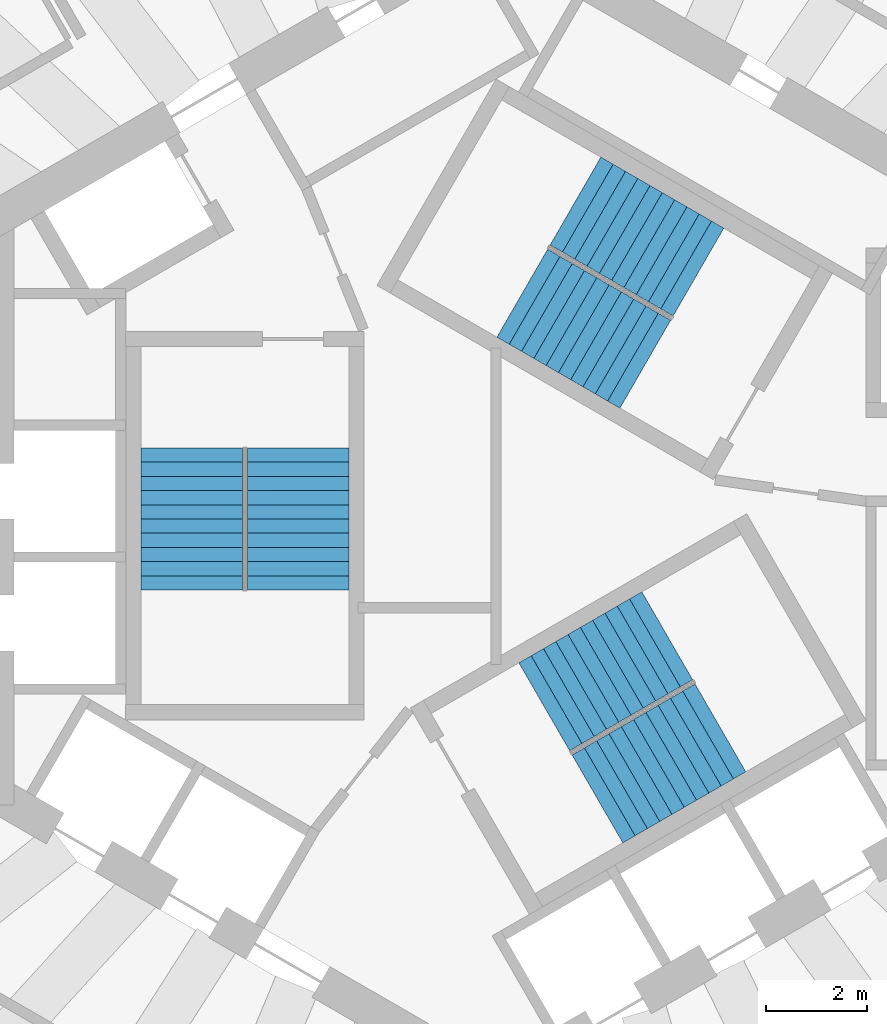
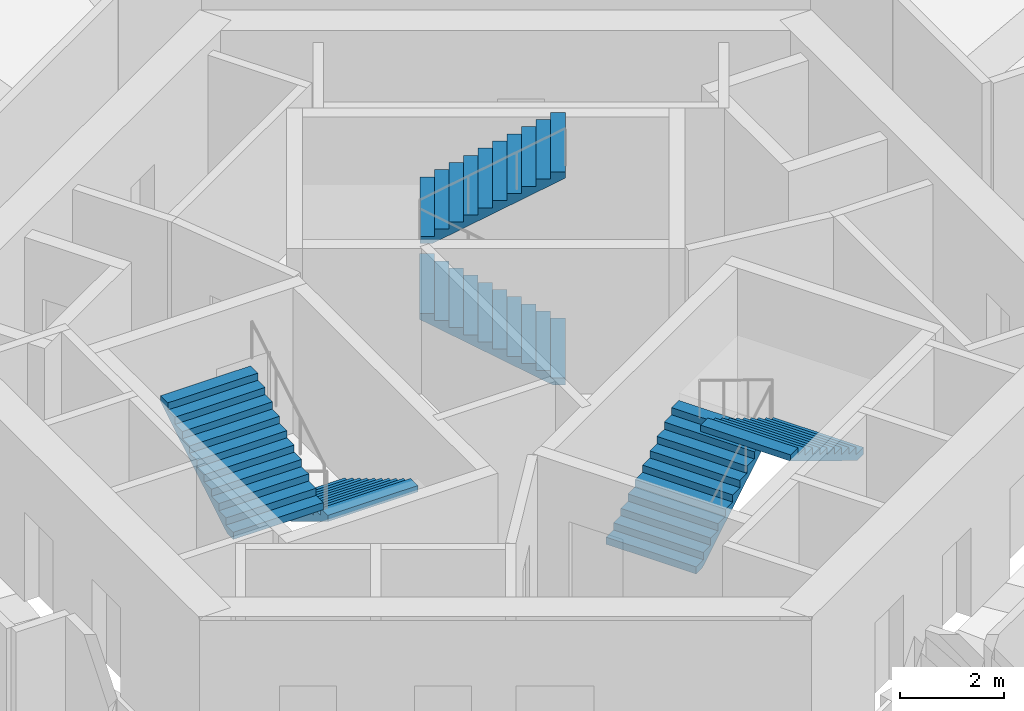
# One storey, part 9 of 11: 6 stair flights, 3 elements without a shape of their own.
"""IFC4 building model written with IfcOpenShell, lengths in metres."""

from ifc_helpers import new_model, si_unit, direction, frame, origin, place, context, subcontext, project, spatial, triangles, source, transform, mapped, material, type_object, element, aggregate, save


model = new_model("IFC4")

# Units and contexts
model_context = context("Model", 3, precision=1e-05, world=origin(), true_north=direction((0.0, 1.0)))
body_context = subcontext(model_context, "Body", "Model", "MODEL_VIEW")
ifc_project = project(units=[si_unit("LENGTHUNIT", "METRE"), si_unit("AREAUNIT", "SQUARE_METRE"), si_unit("VOLUMEUNIT", "CUBIC_METRE"), si_unit("PLANEANGLEUNIT", "RADIAN"), si_unit("MASSUNIT", "GRAM", prefix="KILO")], contexts=[model_context])

# Site, building, storey
site_placement = place(None, origin())
site = spatial("IfcSite", under=ifc_project, at=site_placement, CompositionType="ELEMENT")
building_placement = place(site_placement, origin())
building = spatial("IfcBuilding", under=site, at=building_placement, Name="Vanh Sen Convention Tower", CompositionType="ELEMENT")
storey_placement = place(building_placement, frame((0.0, 0.0, 259.800048828125)))
storey = spatial("IfcBuildingStorey", under=building, at=storey_placement, Name="L64", CompositionType="ELEMENT", Elevation=259.800048828125)

# Stair, stair flights
ifc_material_1 = material(Name="Concrete C50/60", Category="concrete")
stair_type_1 = type_object("IfcStairType", Name="Exit stair ST1 22 risers at 168.2", PredefinedType="HALF_TURN_STAIR", material=ifc_material_1)
stair_1_placement = place(storey_placement, origin())
stair_1 = element("IfcStair", 1, at=stair_1_placement, inside=storey, type_object=stair_type_1, Name="Exit stair ST1 L64", PredefinedType="HALF_TURN_STAIR")
ifc_material_2 = material(Name="Concrete C40/50", Category="concrete")
stair_flight_type = type_object("IfcStairFlightType", Name="Stair flight 2000", PredefinedType="STRAIGHT", material=ifc_material_2)
shared_shape = source(origin(), body_context, "Body", "Tessellation", [
    triangles([(0.24267578125, 1.0, 0.0), (0.0, 1.0, 0.0), (0.0, 1.0, 0.168212890625), (0.280029296875, 1.0, 0.168212890625), (0.280029296875, 1.0, 0.33642578125), (0.56005859375, 1.0, 0.33642578125), (0.56005859375, 1.0, 0.504638671875), (0.840087890625, 1.0, 0.504638671875), (0.840087890625, 1.0, 0.672607421875), (1.1201171875, 1.0, 0.672607421875), (1.1201171875, 1.0, 0.8408203125), (1.39990234375, 1.0, 0.8408203125), (1.39990234375, 1.0, 1.009033203125), (1.679931640625, 1.0, 1.009033203125), (1.679931640625, 1.0, 1.17724609375), (1.9599609375, 1.0, 1.17724609375), (1.9599609375, 1.0, 1.345458984375), (2.239990234375, 1.0, 1.345458984375), (2.239990234375, 1.0, 1.513671875), (2.52001953125, 1.0, 1.513671875), (2.52001953125, 1.0, 1.681884765625), (2.800048828125, 1.0, 1.681884765625), (2.800048828125, 1.0, 1.535888671875), (0.24267578125, -1.0, 0.0), (0.0, -1.0, 0.0), (0.0, -1.0, 0.168212890625), (0.280029296875, -1.0, 0.168212890625), (0.280029296875, -1.0, 0.33642578125), (0.56005859375, -1.0, 0.33642578125), (0.56005859375, -1.0, 0.504638671875), (0.840087890625, -1.0, 0.504638671875), (0.840087890625, -1.0, 0.672607421875), (1.1201171875, -1.0, 0.672607421875), (1.1201171875, -1.0, 0.8408203125), (1.39990234375, -1.0, 0.8408203125), (1.39990234375, -1.0, 1.009033203125), (1.679931640625, -1.0, 1.009033203125), (1.679931640625, -1.0, 1.17724609375), (1.9599609375, -1.0, 1.17724609375), (1.9599609375, -1.0, 1.345458984375), (2.239990234375, -1.0, 1.345458984375), (2.239990234375, -1.0, 1.513671875), (2.52001953125, -1.0, 1.513671875), (2.52001953125, -1.0, 1.681884765625), (2.800048828125, -1.0, 1.681884765625), (2.800048828125, -1.0, 1.535888671875), (0.0, 0.0400390625, 0.0), (0.0, 0.0390625, 0.0), (0.0, 0.0380859375, 0.0), (0.0, 0.037109375, 0.0), (0.0, 0.035888671875, 0.0), (0.0, 0.034912109375, 0.0), (0.0, 0.033935546875, 0.0), (0.0, 0.032958984375, 0.0), (0.0, 0.031982421875, 0.0), (0.0, 0.031005859375, 0.0), (0.0, 0.030029296875, 0.0), (0.0, 0.029052734375, 0.0), (0.0, 0.028076171875, 0.0), (0.0, 0.027099609375, 0.0), (0.0, 0.02587890625, 0.0), (0.0, 0.02490234375, 0.0), (0.0, 0.02392578125, 0.0), (0.0, 0.02294921875, 0.0), (0.0, 0.02197265625, 0.0), (0.0, 0.02099609375, 0.0), (0.0, 0.02001953125, 0.0), (0.0, 0.01904296875, 0.0), (0.0, 0.01806640625, 0.0), (0.0, 0.01708984375, 0.0), (0.0, 0.01611328125, 0.0), (0.0, 0.014892578125, 0.0), (0.0, 0.013916015625, 0.0), (0.0, 0.012939453125, 0.0), (0.0, 0.011962890625, 0.0), (0.0, 0.010986328125, 0.0), (0.0, 0.010009765625, 0.0), (0.0, 0.009033203125, 0.0), (0.0, 0.008056640625, 0.0), (0.0, 0.007080078125, 0.0), (0.0, 0.006103515625, 0.0), (0.0, 0.0048828125, 0.0), (0.0, 0.00390625, 0.0), (0.0, 0.0029296875, 0.0), (0.0, 0.001953125, 0.0), (0.0, 0.0009765625, 0.0), (0.0, 0.0, 0.0), (0.0, -0.0009765625, 0.0), (0.0, -0.001953125, 0.0), (0.0, -0.0029296875, 0.0), (0.0, -0.00390625, 0.0), (0.0, -0.0048828125, 0.0), (0.0, -0.006103515625, 0.0), (0.0, -0.007080078125, 0.0), (0.0, -0.008056640625, 0.0), (0.0, -0.009033203125, 0.0), (0.0, -0.010009765625, 0.0), (0.0, -0.010986328125, 0.0), (0.0, -0.011962890625, 0.0), (0.0, -0.012939453125, 0.0), (0.0, -0.013916015625, 0.0), (0.0, -0.014892578125, 0.0), (0.0, -0.01611328125, 0.0), (0.0, -0.01708984375, 0.0), (0.0, -0.01806640625, 0.0), (0.0, -0.01904296875, 0.0), (0.0, -0.02001953125, 0.0), (0.0, -0.02099609375, 0.0), (0.0, -0.02197265625, 0.0), (0.0, -0.02294921875, 0.0), (0.0, -0.02392578125, 0.0), (0.0, -0.02490234375, 0.0), (0.0, -0.02587890625, 0.0), (0.0, -0.027099609375, 0.0), (0.0, -0.028076171875, 0.0), (0.0, -0.029052734375, 0.0), (0.0, -0.030029296875, 0.0), (0.0, -0.031005859375, 0.0), (0.0, -0.031982421875, 0.0), (0.0, -0.032958984375, 0.0), (0.0, -0.033935546875, 0.0), (0.0, -0.034912109375, 0.0), (0.0, -0.035888671875, 0.0), (0.0, -0.037109375, 0.0), (0.0, -0.0380859375, 0.0), (0.0, -0.0390625, 0.0), (0.0, -0.0400390625, 0.0), (0.0, 0.0400390625, 0.168212890625), (0.0, 0.0390625, 0.168212890625), (0.0, 0.0380859375, 0.168212890625), (0.0, 0.037109375, 0.168212890625), (0.0, 0.035888671875, 0.168212890625), (0.0, 0.034912109375, 0.168212890625), (0.0, 0.033935546875, 0.168212890625), (0.0, 0.032958984375, 0.168212890625), (0.0, 0.031982421875, 0.168212890625), (0.0, 0.031005859375, 0.168212890625), (0.0, 0.030029296875, 0.168212890625), (0.0, 0.029052734375, 0.168212890625), (0.0, 0.028076171875, 0.168212890625), (0.0, 0.027099609375, 0.168212890625), (0.0, 0.02587890625, 0.168212890625), (0.0, 0.02490234375, 0.168212890625), (0.0, 0.02392578125, 0.168212890625), (0.0, 0.02294921875, 0.168212890625), (0.0, 0.02197265625, 0.168212890625), (0.0, 0.02099609375, 0.168212890625), (0.0, 0.02001953125, 0.168212890625), (0.0, 0.01904296875, 0.168212890625), (0.0, 0.01806640625, 0.168212890625), (0.0, 0.01708984375, 0.168212890625), (0.0, 0.01611328125, 0.168212890625), (0.0, 0.014892578125, 0.168212890625), (0.0, 0.013916015625, 0.168212890625), (0.0, 0.012939453125, 0.168212890625), (0.0, 0.011962890625, 0.168212890625), (0.0, 0.010986328125, 0.168212890625), (0.0, 0.010009765625, 0.168212890625), (0.0, 0.009033203125, 0.168212890625), (0.0, 0.008056640625, 0.168212890625), (0.0, 0.007080078125, 0.168212890625), (0.0, 0.006103515625, 0.168212890625), (0.0, 0.0048828125, 0.168212890625), (0.0, 0.00390625, 0.168212890625), (0.0, 0.0029296875, 0.168212890625), (0.0, 0.001953125, 0.168212890625), (0.0, 0.0009765625, 0.168212890625), (0.0, 0.0, 0.168212890625), (0.0, -0.0009765625, 0.168212890625), (0.0, -0.001953125, 0.168212890625), (0.0, -0.0029296875, 0.168212890625), (0.0, -0.00390625, 0.168212890625), (0.0, -0.0048828125, 0.168212890625), (0.0, -0.006103515625, 0.168212890625), (0.0, -0.007080078125, 0.168212890625), (0.0, -0.008056640625, 0.168212890625), (0.0, -0.009033203125, 0.168212890625), (0.0, -0.010009765625, 0.168212890625), (0.0, -0.010986328125, 0.168212890625), (0.0, -0.011962890625, 0.168212890625), (0.0, -0.012939453125, 0.168212890625), (0.0, -0.013916015625, 0.168212890625), (0.0, -0.014892578125, 0.168212890625), (0.0, -0.01611328125, 0.168212890625), (0.0, -0.01708984375, 0.168212890625), (0.0, -0.01806640625, 0.168212890625), (0.0, -0.01904296875, 0.168212890625), (0.0, -0.02001953125, 0.168212890625), (0.0, -0.02099609375, 0.168212890625), (0.0, -0.02197265625, 0.168212890625), (0.0, -0.02294921875, 0.168212890625), (0.0, -0.02392578125, 0.168212890625), (0.0, -0.02490234375, 0.168212890625), (0.0, -0.02587890625, 0.168212890625), (0.0, -0.027099609375, 0.168212890625), (0.0, -0.028076171875, 0.168212890625), (0.0, -0.029052734375, 0.168212890625), (0.0, -0.030029296875, 0.168212890625), (0.0, -0.031005859375, 0.168212890625), (0.0, -0.031982421875, 0.168212890625), (0.0, -0.032958984375, 0.168212890625), (0.0, -0.033935546875, 0.168212890625), (0.0, -0.034912109375, 0.168212890625), (0.0, -0.035888671875, 0.168212890625), (0.0, -0.037109375, 0.168212890625), (0.0, -0.0380859375, 0.168212890625), (0.0, -0.0390625, 0.168212890625), (0.0, -0.0400390625, 0.168212890625), (0.280029296875, 0.0, 0.168212890625), (0.280029296875, 0.0, 0.33642578125), (0.56005859375, 0.0, 0.33642578125), (0.56005859375, 0.0, 0.504638671875), (0.840087890625, 0.0, 0.504638671875), (0.840087890625, 0.0, 0.672607421875), (1.1201171875, 0.0, 0.672607421875), (1.1201171875, 0.0, 0.8408203125), (1.39990234375, 0.0, 0.8408203125), (1.39990234375, 0.0, 1.009033203125), (1.679931640625, 0.0, 1.009033203125), (1.679931640625, 0.0, 1.17724609375), (1.9599609375, 0.0, 1.17724609375), (1.9599609375, 0.0, 1.345458984375), (2.239990234375, 0.0, 1.345458984375), (2.239990234375, 0.0, 1.513671875), (2.52001953125, 0.0, 1.513671875), (2.52001953125, 0.0, 1.681884765625), (2.800048828125, 0.0400390625, 1.681884765625), (2.800048828125, 0.0390625, 1.681884765625), (2.800048828125, 0.0380859375, 1.681884765625), (2.800048828125, 0.037109375, 1.681884765625), (2.800048828125, 0.035888671875, 1.681884765625), (2.800048828125, 0.034912109375, 1.681884765625), (2.800048828125, 0.033935546875, 1.681884765625), (2.800048828125, 0.032958984375, 1.681884765625), (2.800048828125, 0.031982421875, 1.681884765625), (2.800048828125, 0.031005859375, 1.681884765625), (2.800048828125, 0.030029296875, 1.681884765625), (2.800048828125, 0.029052734375, 1.681884765625), (2.800048828125, 0.028076171875, 1.681884765625), (2.800048828125, 0.027099609375, 1.681884765625), (2.800048828125, 0.02587890625, 1.681884765625), (2.800048828125, 0.02490234375, 1.681884765625), (2.800048828125, 0.02392578125, 1.681884765625), (2.800048828125, 0.02294921875, 1.681884765625), (2.800048828125, 0.02197265625, 1.681884765625), (2.800048828125, 0.02099609375, 1.681884765625), (2.800048828125, 0.02001953125, 1.681884765625), (2.800048828125, 0.01904296875, 1.681884765625), (2.800048828125, 0.01806640625, 1.681884765625), (2.800048828125, 0.01708984375, 1.681884765625), (2.800048828125, 0.01611328125, 1.681884765625), (2.800048828125, 0.014892578125, 1.681884765625), (2.800048828125, 0.013916015625, 1.681884765625), (2.800048828125, 0.012939453125, 1.681884765625), (2.800048828125, 0.011962890625, 1.681884765625), (2.800048828125, 0.010986328125, 1.681884765625), (2.800048828125, 0.010009765625, 1.681884765625), (2.800048828125, 0.009033203125, 1.681884765625), (2.800048828125, 0.008056640625, 1.681884765625), (2.800048828125, 0.007080078125, 1.681884765625), (2.800048828125, 0.006103515625, 1.681884765625), (2.800048828125, 0.0048828125, 1.681884765625), (2.800048828125, 0.00390625, 1.681884765625), (2.800048828125, 0.0029296875, 1.681884765625), (2.800048828125, 0.001953125, 1.681884765625), (2.800048828125, 0.0009765625, 1.681884765625), (2.800048828125, 0.0, 1.681884765625), (2.800048828125, -0.0009765625, 1.681884765625), (2.800048828125, -0.001953125, 1.681884765625), (2.800048828125, -0.0029296875, 1.681884765625), (2.800048828125, -0.00390625, 1.681884765625), (2.800048828125, -0.0048828125, 1.681884765625), (2.800048828125, -0.006103515625, 1.681884765625), (2.800048828125, -0.007080078125, 1.681884765625), (2.800048828125, -0.008056640625, 1.681884765625), (2.800048828125, -0.009033203125, 1.681884765625), (2.800048828125, -0.010009765625, 1.681884765625), (2.800048828125, -0.010986328125, 1.681884765625), (2.800048828125, -0.011962890625, 1.681884765625), (2.800048828125, -0.012939453125, 1.681884765625), (2.800048828125, -0.013916015625, 1.681884765625), (2.800048828125, -0.014892578125, 1.681884765625), (2.800048828125, -0.01611328125, 1.681884765625), (2.800048828125, -0.01708984375, 1.681884765625), (2.800048828125, -0.01806640625, 1.681884765625), (2.800048828125, -0.01904296875, 1.681884765625), (2.800048828125, -0.02001953125, 1.681884765625), (2.800048828125, -0.02099609375, 1.681884765625), (2.800048828125, -0.02197265625, 1.681884765625), (2.800048828125, -0.02294921875, 1.681884765625), (2.800048828125, -0.02392578125, 1.681884765625), (2.800048828125, -0.02490234375, 1.681884765625), (2.800048828125, -0.02587890625, 1.681884765625), (2.800048828125, -0.027099609375, 1.681884765625), (2.800048828125, -0.028076171875, 1.681884765625), (2.800048828125, -0.029052734375, 1.681884765625), (2.800048828125, -0.030029296875, 1.681884765625), (2.800048828125, -0.031005859375, 1.681884765625), (2.800048828125, -0.031982421875, 1.681884765625), (2.800048828125, -0.032958984375, 1.681884765625), (2.800048828125, -0.033935546875, 1.681884765625), (2.800048828125, -0.034912109375, 1.681884765625), (2.800048828125, -0.035888671875, 1.681884765625), (2.800048828125, -0.037109375, 1.681884765625), (2.800048828125, -0.0380859375, 1.681884765625), (2.800048828125, -0.0390625, 1.681884765625), (2.800048828125, -0.0400390625, 1.681884765625), (2.800048828125, 0.0400390625, 1.535888671875), (2.800048828125, 0.0390625, 1.535888671875), (2.800048828125, 0.0380859375, 1.535888671875), (2.800048828125, 0.037109375, 1.535888671875), (2.800048828125, 0.035888671875, 1.535888671875), (2.800048828125, 0.034912109375, 1.535888671875), (2.800048828125, 0.033935546875, 1.535888671875), (2.800048828125, 0.032958984375, 1.535888671875), (2.800048828125, 0.031982421875, 1.535888671875), (2.800048828125, 0.031005859375, 1.535888671875), (2.800048828125, 0.030029296875, 1.535888671875), (2.800048828125, 0.029052734375, 1.535888671875), (2.800048828125, 0.028076171875, 1.535888671875), (2.800048828125, 0.027099609375, 1.535888671875), (2.800048828125, 0.02587890625, 1.535888671875), (2.800048828125, 0.02490234375, 1.535888671875), (2.800048828125, 0.02392578125, 1.535888671875), (2.800048828125, 0.02294921875, 1.535888671875), (2.800048828125, 0.02197265625, 1.535888671875), (2.800048828125, 0.02099609375, 1.535888671875), (2.800048828125, 0.02001953125, 1.535888671875), (2.800048828125, 0.01904296875, 1.535888671875), (2.800048828125, 0.01806640625, 1.535888671875), (2.800048828125, 0.01708984375, 1.535888671875), (2.800048828125, 0.01611328125, 1.535888671875), (2.800048828125, 0.014892578125, 1.535888671875), (2.800048828125, 0.013916015625, 1.535888671875), (2.800048828125, 0.012939453125, 1.535888671875), (2.800048828125, 0.011962890625, 1.535888671875), (2.800048828125, 0.010986328125, 1.535888671875), (2.800048828125, 0.010009765625, 1.535888671875), (2.800048828125, 0.009033203125, 1.535888671875), (2.800048828125, 0.008056640625, 1.535888671875), (2.800048828125, 0.007080078125, 1.535888671875), (2.800048828125, 0.006103515625, 1.535888671875), (2.800048828125, 0.0048828125, 1.535888671875), (2.800048828125, 0.00390625, 1.535888671875), (2.800048828125, 0.0029296875, 1.535888671875), (2.800048828125, 0.001953125, 1.535888671875), (2.800048828125, 0.0009765625, 1.535888671875), (2.800048828125, 0.0, 1.535888671875), (2.800048828125, -0.0009765625, 1.535888671875), (2.800048828125, -0.001953125, 1.535888671875), (2.800048828125, -0.0029296875, 1.535888671875), (2.800048828125, -0.00390625, 1.535888671875), (2.800048828125, -0.0048828125, 1.535888671875), (2.800048828125, -0.006103515625, 1.535888671875), (2.800048828125, -0.007080078125, 1.535888671875), (2.800048828125, -0.008056640625, 1.535888671875), (2.800048828125, -0.009033203125, 1.535888671875), (2.800048828125, -0.010009765625, 1.535888671875), (2.800048828125, -0.010986328125, 1.535888671875), (2.800048828125, -0.011962890625, 1.535888671875), (2.800048828125, -0.012939453125, 1.535888671875), (2.800048828125, -0.013916015625, 1.535888671875), (2.800048828125, -0.014892578125, 1.535888671875), (2.800048828125, -0.01611328125, 1.535888671875), (2.800048828125, -0.01708984375, 1.535888671875), (2.800048828125, -0.01806640625, 1.535888671875), (2.800048828125, -0.01904296875, 1.535888671875), (2.800048828125, -0.02001953125, 1.535888671875), (2.800048828125, -0.02099609375, 1.535888671875), (2.800048828125, -0.02197265625, 1.535888671875), (2.800048828125, -0.02294921875, 1.535888671875), (2.800048828125, -0.02392578125, 1.535888671875), (2.800048828125, -0.02490234375, 1.535888671875), (2.800048828125, -0.02587890625, 1.535888671875), (2.800048828125, -0.027099609375, 1.535888671875), (2.800048828125, -0.028076171875, 1.535888671875), (2.800048828125, -0.029052734375, 1.535888671875), (2.800048828125, -0.030029296875, 1.535888671875), (2.800048828125, -0.031005859375, 1.535888671875), (2.800048828125, -0.031982421875, 1.535888671875), (2.800048828125, -0.032958984375, 1.535888671875), (2.800048828125, -0.033935546875, 1.535888671875), (2.800048828125, -0.034912109375, 1.535888671875), (2.800048828125, -0.035888671875, 1.535888671875), (2.800048828125, -0.037109375, 1.535888671875), (2.800048828125, -0.0380859375, 1.535888671875), (2.800048828125, -0.0390625, 1.535888671875), (2.800048828125, -0.0400390625, 1.535888671875), (0.24267578125, 0.0, 0.0)], [[1, 2, 3], [1, 3, 4], [4, 5, 6], [1, 4, 6], [6, 7, 8], [1, 6, 8], [8, 9, 10], [1, 8, 10], [10, 11, 12], [1, 10, 12], [12, 13, 14], [1, 12, 14], [14, 15, 16], [1, 14, 16], [16, 17, 18], [1, 16, 18], [18, 19, 20], [1, 18, 20], [20, 21, 22], [1, 20, 22], [22, 23, 1], [24, 26, 25], [24, 27, 26], [27, 29, 28], [24, 29, 27], [29, 31, 30], [24, 31, 29], [31, 33, 32], [24, 33, 31], [33, 35, 34], [24, 35, 33], [35, 37, 36], [24, 37, 35], [37, 39, 38], [24, 39, 37], [39, 41, 40], [24, 41, 39], [41, 43, 42], [24, 43, 41], [43, 45, 44], [24, 45, 43], [45, 24, 46], [2, 128, 3], [2, 47, 128], [47, 129, 128], [47, 48, 129], [48, 130, 129], [48, 49, 130], [49, 131, 130], [49, 50, 131], [50, 132, 131], [50, 51, 132], [51, 133, 132], [51, 52, 133], [52, 134, 133], [52, 53, 134], [53, 135, 134], [53, 54, 135], [54, 136, 135], [54, 55, 136], [55, 137, 136], [55, 56, 137], [56, 138, 137], [56, 57, 138], [57, 139, 138], [57, 58, 139], [58, 140, 139], [58, 59, 140], [59, 141, 140], [59, 60, 141], [60, 142, 141], [60, 61, 142], [61, 143, 142], [61, 62, 143], [62, 144, 143], [62, 63, 144], [63, 145, 144], [63, 64, 145], [64, 146, 145], [64, 65, 146], [65, 147, 146], [65, 66, 147], [66, 148, 147], [66, 67, 148], [67, 149, 148], [67, 68, 149], [68, 150, 149], [68, 69, 150], [69, 151, 150], [69, 70, 151], [70, 152, 151], [70, 71, 152], [71, 153, 152], [71, 72, 153], [72, 154, 153], [72, 73, 154], [73, 155, 154], [73, 74, 155], [74, 156, 155], [74, 75, 156], [75, 157, 156], [75, 76, 157], [76, 158, 157], [76, 77, 158], [77, 159, 158], [77, 78, 159], [78, 160, 159], [78, 79, 160], [79, 161, 160], [79, 80, 161], [80, 162, 161], [80, 81, 162], [81, 163, 162], [81, 82, 163], [82, 164, 163], [82, 83, 164], [83, 165, 164], [83, 84, 165], [84, 166, 165], [84, 85, 166], [85, 167, 166], [85, 86, 167], [86, 168, 167], [86, 87, 168], [87, 88, 168], [168, 88, 169], [88, 89, 169], [169, 89, 170], [89, 90, 170], [170, 90, 171], [90, 91, 171], [171, 91, 172], [91, 92, 172], [172, 92, 173], [92, 93, 173], [173, 93, 174], [93, 94, 174], [174, 94, 175], [94, 95, 175], [175, 95, 176], [95, 96, 176], [176, 96, 177], [96, 97, 177], [177, 97, 178], [97, 98, 178], [178, 98, 179], [98, 99, 179], [179, 99, 180], [99, 100, 180], [180, 100, 181], [100, 101, 181], [181, 101, 182], [101, 102, 182], [182, 102, 183], [102, 103, 183], [183, 103, 184], [103, 104, 184], [184, 104, 185], [104, 105, 185], [185, 105, 186], [105, 106, 186], [186, 106, 187], [106, 107, 187], [187, 107, 188], [107, 108, 188], [188, 108, 189], [108, 109, 189], [189, 109, 190], [109, 110, 190], [190, 110, 191], [110, 111, 191], [191, 111, 192], [111, 112, 192], [192, 112, 193], [112, 113, 193], [193, 113, 194], [113, 114, 194], [194, 114, 195], [114, 115, 195], [195, 115, 196], [115, 116, 196], [196, 116, 197], [116, 117, 197], [197, 117, 198], [117, 118, 198], [198, 118, 199], [118, 119, 199], [199, 119, 200], [119, 120, 200], [200, 120, 201], [120, 121, 201], [201, 121, 202], [121, 122, 202], [202, 122, 203], [122, 123, 203], [203, 123, 204], [123, 124, 204], [204, 124, 205], [124, 125, 205], [205, 125, 206], [125, 126, 206], [206, 126, 207], [126, 127, 207], [207, 127, 208], [127, 25, 208], [208, 25, 26], [4, 3, 128], [4, 128, 129], [4, 129, 130], [4, 130, 131], [4, 131, 132], [4, 132, 133], [4, 133, 134], [4, 134, 135], [4, 135, 136], [4, 136, 137], [4, 137, 138], [4, 138, 139], [4, 139, 140], [4, 140, 141], [4, 141, 142], [4, 142, 143], [4, 143, 144], [4, 144, 145], [4, 145, 146], [4, 146, 147], [4, 147, 148], [4, 148, 149], [4, 149, 150], [4, 150, 151], [4, 151, 152], [4, 152, 153], [4, 153, 154], [4, 154, 155], [4, 155, 156], [4, 156, 157], [4, 157, 158], [4, 158, 159], [4, 159, 160], [4, 160, 161], [4, 161, 162], [4, 162, 163], [4, 163, 164], [4, 164, 165], [4, 165, 166], [4, 166, 167], [4, 167, 168], [27, 168, 169], [27, 169, 170], [27, 170, 171], [27, 171, 172], [27, 172, 173], [27, 173, 174], [27, 174, 175], [27, 175, 176], [27, 176, 177], [27, 177, 178], [27, 178, 179], [27, 179, 180], [27, 180, 181], [27, 181, 182], [27, 182, 183], [27, 183, 184], [27, 184, 185], [27, 185, 186], [27, 186, 187], [27, 187, 188], [27, 188, 189], [27, 189, 190], [27, 190, 191], [27, 191, 192], [27, 192, 193], [27, 193, 194], [27, 194, 195], [27, 195, 196], [27, 196, 197], [27, 197, 198], [27, 198, 199], [27, 199, 200], [27, 200, 201], [27, 201, 202], [27, 202, 203], [27, 203, 204], [27, 204, 205], [27, 205, 206], [27, 206, 207], [27, 207, 208], [27, 208, 26], [4, 168, 209], [27, 209, 168], [4, 210, 5], [4, 209, 210], [209, 27, 210], [210, 27, 28], [5, 211, 6], [5, 210, 211], [210, 28, 211], [211, 28, 29], [6, 212, 7], [6, 211, 212], [211, 29, 212], [212, 29, 30], [7, 213, 8], [7, 212, 213], [212, 30, 213], [213, 30, 31], [8, 214, 9], [8, 213, 214], [213, 31, 214], [214, 31, 32], [9, 215, 10], [9, 214, 215], [214, 32, 215], [215, 32, 33], [10, 216, 11], [10, 215, 216], [215, 33, 216], [216, 33, 34], [11, 217, 12], [11, 216, 217], [216, 34, 217], [217, 34, 35], [12, 218, 13], [12, 217, 218], [217, 35, 218], [218, 35, 36], [13, 219, 14], [13, 218, 219], [218, 36, 219], [219, 36, 37], [14, 220, 15], [14, 219, 220], [219, 37, 220], [220, 37, 38], [15, 221, 16], [15, 220, 221], [220, 38, 221], [221, 38, 39], [16, 222, 17], [16, 221, 222], [221, 39, 222], [222, 39, 40], [17, 223, 18], [17, 222, 223], [222, 40, 223], [223, 40, 41], [18, 224, 19], [18, 223, 224], [223, 41, 224], [224, 41, 42], [19, 225, 20], [19, 224, 225], [224, 42, 225], [225, 42, 43], [20, 226, 21], [20, 225, 226], [225, 43, 226], [226, 43, 44], [21, 227, 22], [21, 228, 227], [21, 229, 228], [21, 230, 229], [21, 231, 230], [21, 232, 231], [21, 233, 232], [21, 234, 233], [21, 235, 234], [21, 236, 235], [21, 237, 236], [21, 238, 237], [21, 239, 238], [21, 240, 239], [21, 241, 240], [21, 242, 241], [21, 243, 242], [21, 244, 243], [21, 245, 244], [21, 246, 245], [21, 247, 246], [21, 248, 247], [21, 249, 248], [21, 250, 249], [21, 251, 250], [21, 252, 251], [21, 253, 252], [21, 254, 253], [21, 255, 254], [21, 256, 255], [21, 257, 256], [21, 258, 257], [21, 259, 258], [21, 260, 259], [21, 261, 260], [21, 262, 261], [21, 263, 262], [21, 264, 263], [21, 265, 264], [21, 266, 265], [21, 267, 266], [44, 268, 267], [44, 269, 268], [44, 270, 269], [44, 271, 270], [44, 272, 271], [44, 273, 272], [44, 274, 273], [44, 275, 274], [44, 276, 275], [44, 277, 276], [44, 278, 277], [44, 279, 278], [44, 280, 279], [44, 281, 280], [44, 282, 281], [44, 283, 282], [44, 284, 283], [44, 285, 284], [44, 286, 285], [44, 287, 286], [44, 288, 287], [44, 289, 288], [44, 290, 289], [44, 291, 290], [44, 292, 291], [44, 293, 292], [44, 294, 293], [44, 295, 294], [44, 296, 295], [44, 297, 296], [44, 298, 297], [44, 299, 298], [44, 300, 299], [44, 301, 300], [44, 302, 301], [44, 303, 302], [44, 304, 303], [44, 305, 304], [44, 306, 305], [44, 307, 306], [44, 45, 307], [21, 226, 267], [44, 267, 226], [22, 308, 23], [22, 227, 308], [227, 309, 308], [227, 228, 309], [228, 310, 309], [228, 229, 310], [229, 311, 310], [229, 230, 311], [230, 312, 311], [230, 231, 312], [231, 313, 312], [231, 232, 313], [232, 314, 313], [232, 233, 314], [233, 315, 314], [233, 234, 315], [234, 316, 315], [234, 235, 316], [235, 317, 316], [235, 236, 317], [236, 318, 317], [236, 237, 318], [237, 319, 318], [237, 238, 319], [238, 320, 319], [238, 239, 320], [239, 321, 320], [239, 240, 321], [240, 322, 321], [240, 241, 322], [241, 323, 322], [241, 242, 323], [242, 324, 323], [242, 243, 324], [243, 325, 324], [243, 244, 325], [244, 326, 325], [244, 245, 326], [245, 327, 326], [245, 246, 327], [246, 328, 327], [246, 247, 328], [247, 329, 328], [247, 248, 329], [248, 330, 329], [248, 249, 330], [249, 331, 330], [249, 250, 331], [250, 332, 331], [250, 251, 332], [251, 333, 332], [251, 252, 333], [252, 334, 333], [252, 253, 334], [253, 335, 334], [253, 254, 335], [254, 336, 335], [254, 255, 336], [255, 337, 336], [255, 256, 337], [256, 338, 337], [256, 257, 338], [257, 339, 338], [257, 258, 339], [258, 340, 339], [258, 259, 340], [259, 341, 340], [259, 260, 341], [260, 342, 341], [260, 261, 342], [261, 343, 342], [261, 262, 343], [262, 344, 343], [262, 263, 344], [263, 345, 344], [263, 264, 345], [264, 346, 345], [264, 265, 346], [265, 347, 346], [265, 266, 347], [266, 348, 347], [266, 267, 348], [267, 268, 348], [348, 268, 349], [268, 269, 349], [349, 269, 350], [269, 270, 350], [350, 270, 351], [270, 271, 351], [351, 271, 352], [271, 272, 352], [352, 272, 353], [272, 273, 353], [353, 273, 354], [273, 274, 354], [354, 274, 355], [274, 275, 355], [355, 275, 356], [275, 276, 356], [356, 276, 357], [276, 277, 357], [357, 277, 358], [277, 278, 358], [358, 278, 359], [278, 279, 359], [359, 279, 360], [279, 280, 360], [360, 280, 361], [280, 281, 361], [361, 281, 362], [281, 282, 362], [362, 282, 363], [282, 283, 363], [363, 283, 364], [283, 284, 364], [364, 284, 365], [284, 285, 365], [365, 285, 366], [285, 286, 366], [366, 286, 367], [286, 287, 367], [367, 287, 368], [287, 288, 368], [368, 288, 369], [288, 289, 369], [369, 289, 370], [289, 290, 370], [370, 290, 371], [290, 291, 371], [371, 291, 372], [291, 292, 372], [372, 292, 373], [292, 293, 373], [373, 293, 374], [293, 294, 374], [374, 294, 375], [294, 295, 375], [375, 295, 376], [295, 296, 376], [376, 296, 377], [296, 297, 377], [377, 297, 378], [297, 298, 378], [378, 298, 379], [298, 299, 379], [379, 299, 380], [299, 300, 380], [380, 300, 381], [300, 301, 381], [381, 301, 382], [301, 302, 382], [382, 302, 383], [302, 303, 383], [383, 303, 384], [303, 304, 384], [384, 304, 385], [304, 305, 385], [385, 305, 386], [305, 306, 386], [386, 306, 387], [306, 307, 387], [387, 307, 388], [307, 45, 388], [388, 45, 46], [1, 23, 308], [1, 308, 309], [1, 309, 310], [1, 310, 311], [1, 311, 312], [1, 312, 313], [1, 313, 314], [1, 314, 315], [1, 315, 316], [1, 316, 317], [1, 317, 318], [1, 318, 319], [1, 319, 320], [1, 320, 321], [1, 321, 322], [1, 322, 323], [1, 323, 324], [1, 324, 325], [1, 325, 326], [1, 326, 327], [1, 327, 328], [1, 328, 329], [1, 329, 330], [1, 330, 331], [1, 331, 332], [1, 332, 333], [1, 333, 334], [1, 334, 335], [1, 335, 336], [1, 336, 337], [1, 337, 338], [1, 338, 339], [1, 339, 340], [1, 340, 341], [1, 341, 342], [1, 342, 343], [1, 343, 344], [1, 344, 345], [1, 345, 346], [1, 346, 347], [1, 347, 348], [24, 348, 349], [24, 349, 350], [24, 350, 351], [24, 351, 352], [24, 352, 353], [24, 353, 354], [24, 354, 355], [24, 355, 356], [24, 356, 357], [24, 357, 358], [24, 358, 359], [24, 359, 360], [24, 360, 361], [24, 361, 362], [24, 362, 363], [24, 363, 364], [24, 364, 365], [24, 365, 366], [24, 366, 367], [24, 367, 368], [24, 368, 369], [24, 369, 370], [24, 370, 371], [24, 371, 372], [24, 372, 373], [24, 373, 374], [24, 374, 375], [24, 375, 376], [24, 376, 377], [24, 377, 378], [24, 378, 379], [24, 379, 380], [24, 380, 381], [24, 381, 382], [24, 382, 383], [24, 383, 384], [24, 384, 385], [24, 385, 386], [24, 386, 387], [24, 387, 388], [24, 388, 46], [1, 348, 389], [24, 389, 348], [1, 47, 2], [1, 48, 47], [1, 49, 48], [1, 50, 49], [1, 51, 50], [1, 52, 51], [1, 53, 52], [1, 54, 53], [1, 55, 54], [1, 56, 55], [1, 57, 56], [1, 58, 57], [1, 59, 58], [1, 60, 59], [1, 61, 60], [1, 62, 61], [1, 63, 62], [1, 64, 63], [1, 65, 64], [1, 66, 65], [1, 67, 66], [1, 68, 67], [1, 69, 68], [1, 70, 69], [1, 71, 70], [1, 72, 71], [1, 73, 72], [1, 74, 73], [1, 75, 74], [1, 76, 75], [1, 77, 76], [1, 78, 77], [1, 79, 78], [1, 80, 79], [1, 81, 80], [1, 82, 81], [1, 83, 82], [1, 84, 83], [1, 85, 84], [1, 86, 85], [1, 87, 86], [24, 88, 87], [24, 89, 88], [24, 90, 89], [24, 91, 90], [24, 92, 91], [24, 93, 92], [24, 94, 93], [24, 95, 94], [24, 96, 95], [24, 97, 96], [24, 98, 97], [24, 99, 98], [24, 100, 99], [24, 101, 100], [24, 102, 101], [24, 103, 102], [24, 104, 103], [24, 105, 104], [24, 106, 105], [24, 107, 106], [24, 108, 107], [24, 109, 108], [24, 110, 109], [24, 111, 110], [24, 112, 111], [24, 113, 112], [24, 114, 113], [24, 115, 114], [24, 116, 115], [24, 117, 116], [24, 118, 117], [24, 119, 118], [24, 120, 119], [24, 121, 120], [24, 122, 121], [24, 123, 122], [24, 124, 123], [24, 125, 124], [24, 126, 125], [24, 127, 126], [24, 25, 127], [1, 389, 87], [24, 87, 389]], closed=True),
])
stair_flight_1_placement = place(storey_placement, frame((2.94580078125, 2.802490234375, 0.0), z_axis=(0.0, 0.0, 1.0), x_axis=(-0.866025403784, 0.5, 0.0)))
stair_flight_1 = element("IfcStairFlight", 2, at=stair_flight_1_placement, type_object=stair_flight_type, Name="ST1 flight 1", NumberOfRisers=11, NumberOfTreads=10, PredefinedType="STRAIGHT", RiserHeight=0.168181818, TreadLength=0.28, context=body_context, shape_type="MappedRepresentation", body=[
    mapped(shared_shape, transform((0.0, 0.0, 0.0))),
])
stair_flight_2_placement = place(storey_placement, frame((1.571044921875, 6.021240234375, 1.849853515625), z_axis=(0.0, 0.0, 1.0), x_axis=(0.866025403784, -0.5, 0.0)))
stair_flight_2 = element("IfcStairFlight", 3, at=stair_flight_2_placement, type_object=stair_flight_type, Name="ST1 flight 2", NumberOfRisers=11, NumberOfTreads=10, PredefinedType="STRAIGHT", RiserHeight=0.168181818, TreadLength=0.28, context=body_context, shape_type="MappedRepresentation", body=[
    mapped(shared_shape, transform((0.0, 0.0, 0.0))),
])
aggregate(stair_1, [stair_flight_1, stair_flight_2])

stair_type_2 = type_object("IfcStairType", Name="Exit stair ST2 22 risers at 168.2", PredefinedType="HALF_TURN_STAIR", material=ifc_material_1)
stair_2_placement = place(storey_placement, origin())
stair_2 = element("IfcStair", 4, at=stair_2_placement, inside=storey, type_object=stair_type_2, Name="Exit stair ST2 L64", PredefinedType="HALF_TURN_STAIR")
stair_flight_3_placement = place(storey_placement, frame((-3.89990234375, 1.14990234375, 0.0), z_axis=(0.0, 0.0, 1.0), x_axis=(0.0, -1.0, 0.0)))
stair_flight_3 = element("IfcStairFlight", 5, at=stair_flight_3_placement, type_object=stair_flight_type, Name="ST2 flight 1", NumberOfRisers=11, NumberOfTreads=10, PredefinedType="STRAIGHT", RiserHeight=0.168181818, TreadLength=0.28, context=body_context, shape_type="MappedRepresentation", body=[
    mapped(shared_shape, transform((0.0, 0.0, 0.0))),
])
stair_flight_4_placement = place(storey_placement, frame((-6.0, -1.64990234375, 1.849853515625), z_axis=(0.0, 0.0, 1.0), x_axis=(0.0, 1.0, 0.0)))
stair_flight_4 = element("IfcStairFlight", 6, at=stair_flight_4_placement, type_object=stair_flight_type, Name="ST2 flight 2", NumberOfRisers=11, NumberOfTreads=10, PredefinedType="STRAIGHT", RiserHeight=0.168181818, TreadLength=0.28, context=body_context, shape_type="MappedRepresentation", body=[
    mapped(shared_shape, transform((0.0, 0.0, 0.0))),
])
aggregate(stair_2, [stair_flight_3, stair_flight_4])

stair_type_3 = type_object("IfcStairType", Name="Exit stair ST3 22 risers at 168.2", PredefinedType="HALF_TURN_STAIR", material=ifc_material_1)
stair_3_placement = place(storey_placement, origin())
stair_3 = element("IfcStair", 7, at=stair_3_placement, inside=storey, type_object=stair_type_3, Name="Exit stair ST3 L64", PredefinedType="HALF_TURN_STAIR")
stair_flight_5_placement = place(storey_placement, frame((0.9541015625, -3.952392578125, 0.0), z_axis=(0.0, 0.0, 1.0), x_axis=(0.866025403784, 0.5, 0.0)))
stair_flight_5 = element("IfcStairFlight", 8, at=stair_flight_5_placement, type_object=stair_flight_type, Name="ST3 flight 1", NumberOfRisers=11, NumberOfTreads=10, PredefinedType="STRAIGHT", RiserHeight=0.168181818, TreadLength=0.28, context=body_context, shape_type="MappedRepresentation", body=[
    mapped(shared_shape, transform((0.0, 0.0, 0.0))),
])
stair_flight_6_placement = place(storey_placement, frame((4.428955078125, -4.37109375, 1.849853515625), z_axis=(0.0, 0.0, 1.0), x_axis=(-0.866025403784, -0.5, 0.0)))
stair_flight_6 = element("IfcStairFlight", 9, at=stair_flight_6_placement, type_object=stair_flight_type, Name="ST3 flight 2", NumberOfRisers=11, NumberOfTreads=10, PredefinedType="STRAIGHT", RiserHeight=0.168181818, TreadLength=0.28, context=body_context, shape_type="MappedRepresentation", body=[
    mapped(shared_shape, transform((0.0, 0.0, 0.0))),
])
aggregate(stair_3, [stair_flight_5, stair_flight_6])

save(model, "model.ifc")
